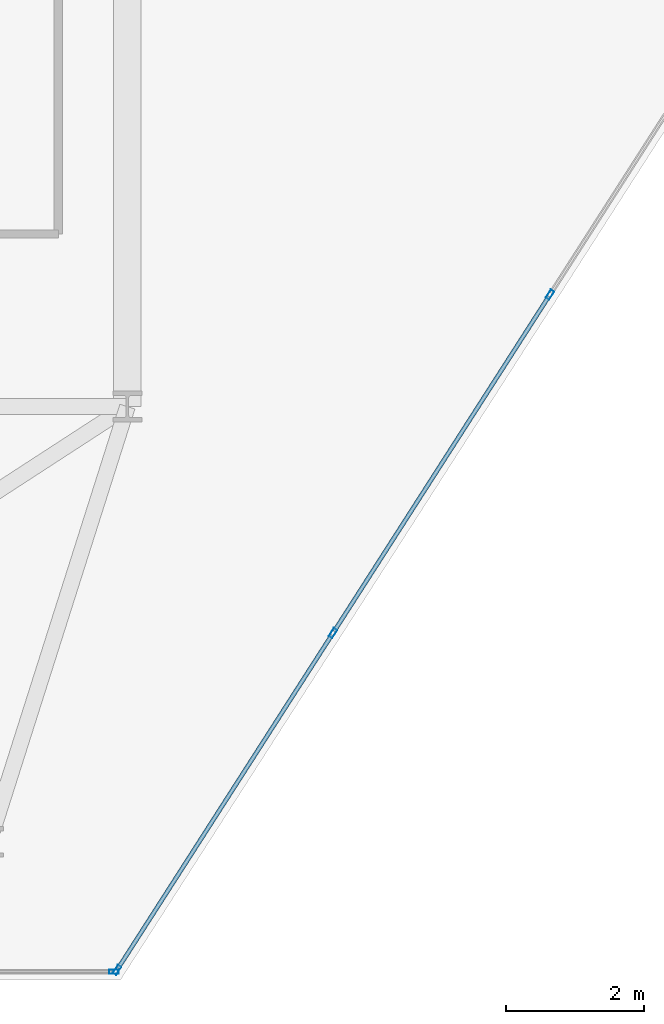
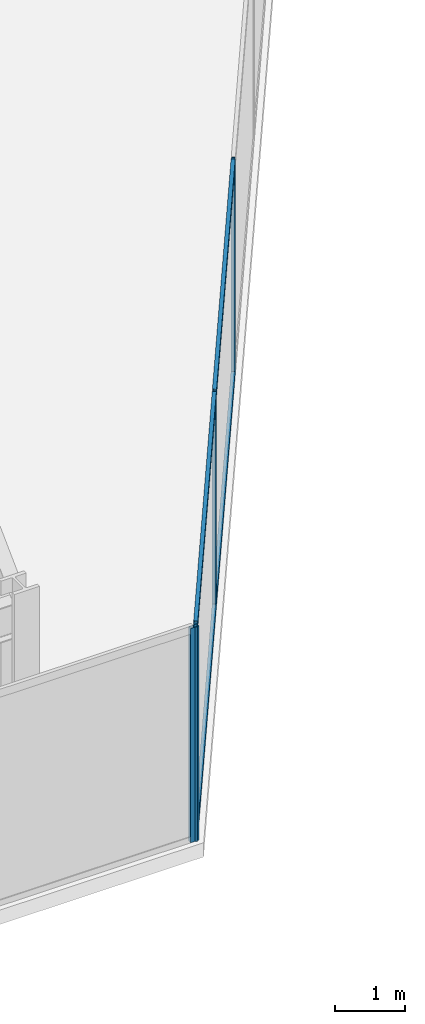
# One storey, part 7 of 26: 8 members, 2 elements without a shape of their own.
"""IFC4 building model written with IfcOpenShell, lengths in metres."""

from ifc_helpers import new_model, si_unit, direction, frame, origin, origin_2d, place, context, subcontext, project, spatial, hollow_rectangle, extrude, material, layer, layer_set, material_profile, profile_set, type_object, element, aggregate, save


model = new_model("IFC4")

# Units and contexts
model_context = context("Model", 3, precision=1e-05, world=origin(), true_north=direction((0.0, 1.0)))
body_context = subcontext(model_context, "Body", "Model", "MODEL_VIEW")
ifc_project = project(units=[si_unit("LENGTHUNIT", "METRE"), si_unit("AREAUNIT", "SQUARE_METRE"), si_unit("VOLUMEUNIT", "CUBIC_METRE"), si_unit("PLANEANGLEUNIT", "RADIAN"), si_unit("MASSUNIT", "GRAM", prefix="KILO")], contexts=[model_context])

# Site, building, storey
site_placement = place(None, origin())
site = spatial("IfcSite", under=ifc_project, at=site_placement, CompositionType="ELEMENT")
building_placement = place(site_placement, origin())
building = spatial("IfcBuilding", under=site, at=building_placement, Name="Kravanh Interchange Tower", CompositionType="ELEMENT")
storey_placement = place(building_placement, frame((0.0, 0.0, 136.0)))
storey = spatial("IfcBuildingStorey", under=building, at=storey_placement, Name="L32", CompositionType="ELEMENT", Elevation=136.0)

# Curtain wall, members
ifc_material_1 = material(Name="Anodised Bronze Aluminium", Category="aluminium")
ifc_layer = layer(ifc_material_1, 0.179931640625)
ifc_layer_set = layer_set([ifc_layer], Name="Unitised Curtain Wall System CW-Z2 Mid Office")
curtain_wall_type = type_object("IfcCurtainWallType", Name="Unitised Curtain Wall System CW-Z2 Mid Office", PredefinedType="NOTDEFINED", material=ifc_layer_set)
curtain_wall_1_placement = place(storey_placement, origin())
curtain_wall_1 = element("IfcCurtainWall", 1, at=curtain_wall_1_placement, inside=storey, type_object=curtain_wall_type, Name="L32 Unitised Curtain Wall CW-L32-05", PredefinedType="NOTDEFINED")
ifc_material_2 = material(Name="Anodised Bronze Aluminium", Category="aluminium")
ifc_material_profile_1 = material_profile(ifc_material_2, hollow_rectangle(XDim=0.06005859375, YDim=0.139892578125, WallThickness=0.00390625, at=origin_2d()), Name="ALU60X140X4")
ifc_profile_set_1 = profile_set([ifc_material_profile_1], Name="Anodised Bronze Aluminium")
member_type_1 = type_object("IfcMemberType", Name="Curtain Wall Mullion ALU60X140X4 Bronze", PredefinedType="MULLION", material=ifc_profile_set_1)
member_1_placement = place(storey_placement, frame((33.317138671875, 16.12109375, 0.0), z_axis=(0.0, 0.0, 1.0), x_axis=(0.841879939476, -0.539664865919, 0.0)))
member_1 = element("IfcMember", 2, at=member_1_placement, type_object=member_type_1, Name="CW-Z2 mullion 3", PredefinedType="MULLION", context=body_context, shape_type="SweptSolid", body=[
    extrude(hollow_rectangle(XDim=0.06005859375, YDim=0.139892578125, WallThickness=0.00390625, at=origin_2d()), origin(), (0.0, 0.0, 1.0), 3.75),
])
member_2_placement = place(storey_placement, frame((30.17578125, 11.220703125, 0.0), z_axis=(0.0, 0.0, 1.0), x_axis=(0.841879939476, -0.539664865919, 0.0)))
member_2 = element("IfcMember", 3, at=member_2_placement, type_object=member_type_1, Name="CW-Z2 mullion 4", PredefinedType="MULLION", context=body_context, shape_type="SweptSolid", body=[
    extrude(hollow_rectangle(XDim=0.06005859375, YDim=0.139892578125, WallThickness=0.00390625, at=origin_2d()), origin(), (0.0, 0.0, 1.0), 3.75),
])
member_3_placement = place(storey_placement, frame((27.050537109375, 6.34521484375, 0.0), z_axis=(0.0, 0.0, 1.0), x_axis=(0.841879939476, -0.539664865919, 0.0)))
member_3 = element("IfcMember", 4, at=member_3_placement, type_object=member_type_1, Name="CW-Z2 mullion 5", PredefinedType="MULLION", context=body_context, shape_type="SweptSolid", body=[
    extrude(hollow_rectangle(XDim=0.06005859375, YDim=0.139892578125, WallThickness=0.00390625, at=origin_2d()), origin(), (0.0, 0.0, 1.0), 3.75),
])

# Curtain wall, member
curtain_wall_2_placement = place(storey_placement, origin())
curtain_wall_2 = element("IfcCurtainWall", 5, at=curtain_wall_2_placement, inside=storey, type_object=curtain_wall_type, Name="L32 Unitised Curtain Wall CW-L32-06", PredefinedType="NOTDEFINED")
member_4_placement = place(storey_placement, frame((27.00439453125, 6.320068359375, 0.0), z_axis=(0.0, 0.0, 1.0), x_axis=(0.0, -1.0, 0.0)))
member_4 = element("IfcMember", 6, at=member_4_placement, type_object=member_type_1, Name="CW-Z2 mullion 1", PredefinedType="MULLION", context=body_context, shape_type="SweptSolid", body=[
    extrude(hollow_rectangle(XDim=0.06005859375, YDim=0.139892578125, WallThickness=0.00390625, at=origin_2d()), origin(), (0.0, 0.0, 1.0), 3.75),
])
aggregate(curtain_wall_2, [member_4])

# Member
ifc_material_3 = material(Name="Anodised Bronze Aluminium", Category="aluminium")
ifc_material_profile_2 = material_profile(ifc_material_3, hollow_rectangle(XDim=0.06005859375, YDim=0.139892578125, WallThickness=0.00390625, at=origin_2d()), Name="ALU60X140X4")
ifc_profile_set_2 = profile_set([ifc_material_profile_2], Name="Anodised Bronze Aluminium")
member_type_2 = type_object("IfcMemberType", Name="Curtain Wall Transom ALU60X140X4 Bronze", PredefinedType="USERDEFINED", material=ifc_profile_set_2)
member_5_placement = place(storey_placement, frame((33.301025390625, 16.095947265625, 0.030029296875), z_axis=(-0.539677666788, -0.84187173368, 0.0), x_axis=(0.84187173368, -0.539677666788, 0.0)))
member_5 = element("IfcMember", 7, at=member_5_placement, type_object=member_type_2, Name="CW-Z2 transom 3.1", ObjectType="TRANSOM", PredefinedType="USERDEFINED", context=body_context, shape_type="SweptSolid", body=[
    extrude(hollow_rectangle(XDim=0.06005859375, YDim=0.139892578125, WallThickness=0.00390625, at=origin_2d()), origin(), (0.0, 0.0, 1.0), 5.760986328125),
])

member_6_placement = place(storey_placement, frame((33.301025390625, 16.095947265625, 3.719970703125), z_axis=(-0.539677666788, -0.84187173368, 0.0), x_axis=(0.84187173368, -0.539677666788, 0.0)))
member_6 = element("IfcMember", 8, at=member_6_placement, type_object=member_type_2, Name="CW-Z2 transom 3.2", ObjectType="TRANSOM", PredefinedType="USERDEFINED", context=body_context, shape_type="SweptSolid", body=[
    extrude(hollow_rectangle(XDim=0.06005859375, YDim=0.139892578125, WallThickness=0.00390625, at=origin_2d()), origin(), (0.0, 0.0, 1.0), 5.760986328125),
])

member_7_placement = place(storey_placement, frame((30.15966796875, 11.1953125, 0.030029296875), z_axis=(-0.53966766312, -0.841878146398, 0.0), x_axis=(0.841878146398, -0.53966766312, 0.0)))
member_7 = element("IfcMember", 9, at=member_7_placement, type_object=member_type_2, Name="CW-Z2 transom 4.1", ObjectType="TRANSOM", PredefinedType="USERDEFINED", context=body_context, shape_type="SweptSolid", body=[
    extrude(hollow_rectangle(XDim=0.06005859375, YDim=0.139892578125, WallThickness=0.00390625, at=origin_2d()), origin(), (0.0, 0.0, 1.0), 5.73095703125),
])

member_8_placement = place(storey_placement, frame((30.15966796875, 11.1953125, 3.719970703125), z_axis=(-0.53966766312, -0.841878146398, 0.0), x_axis=(0.841878146398, -0.53966766312, 0.0)))
member_8 = element("IfcMember", 10, at=member_8_placement, type_object=member_type_2, Name="CW-Z2 transom 4.2", ObjectType="TRANSOM", PredefinedType="USERDEFINED", context=body_context, shape_type="SweptSolid", body=[
    extrude(hollow_rectangle(XDim=0.06005859375, YDim=0.139892578125, WallThickness=0.00390625, at=origin_2d()), origin(), (0.0, 0.0, 1.0), 5.73095703125),
])

aggregate(curtain_wall_1, [member_1, member_2, member_3, member_5, member_6, member_7, member_8])

save(model, "model.ifc")
